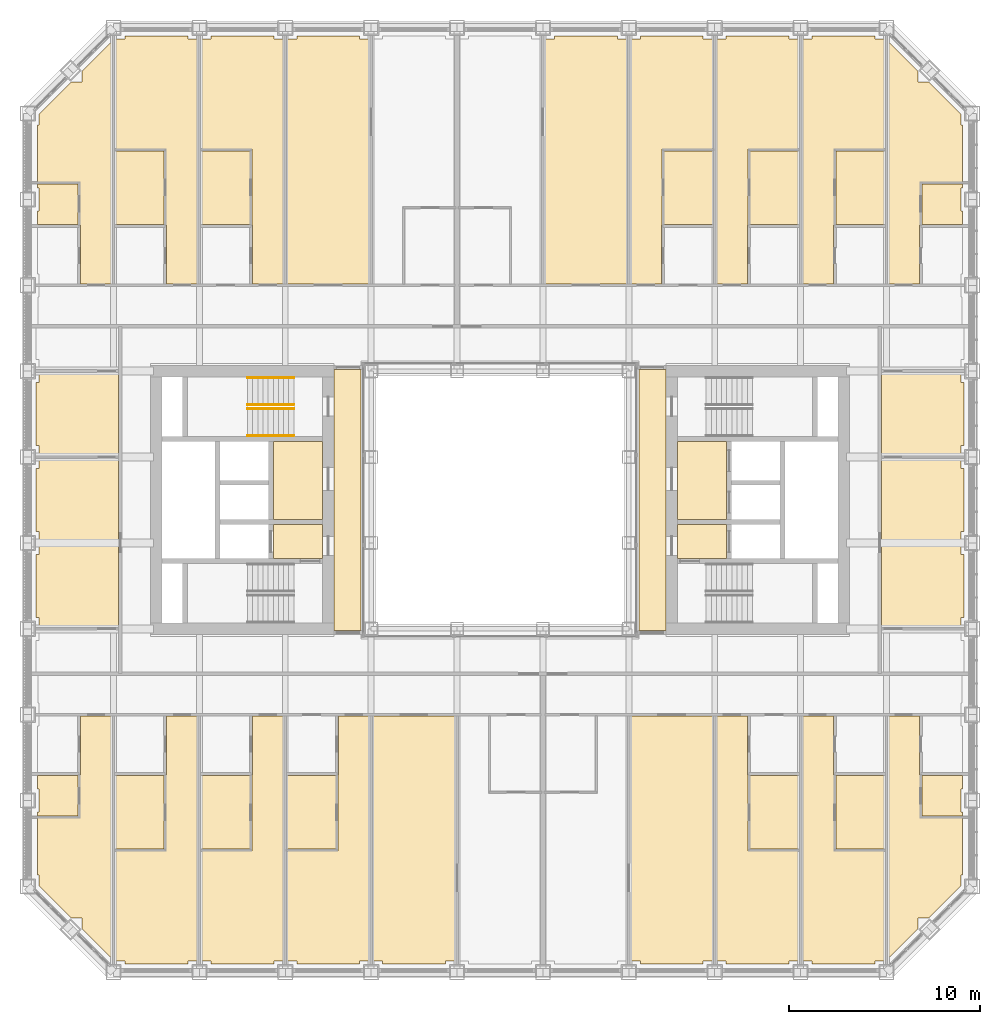
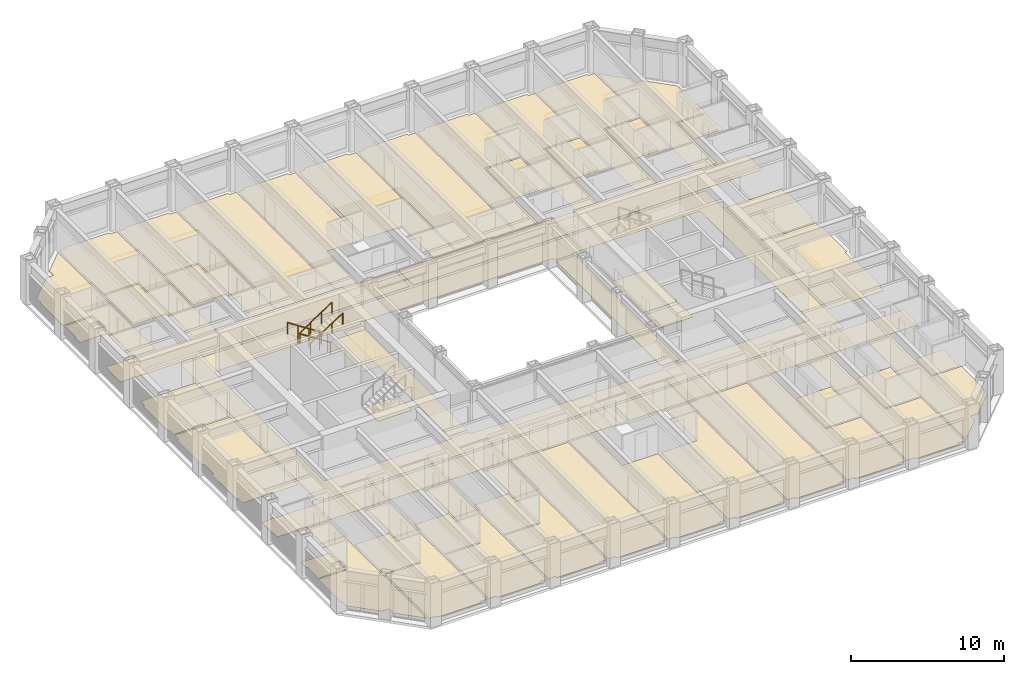
# One storey, part 18 of 21: 4 coverings, 4 railings.
"""IFC4 building model written with IfcOpenShell, lengths in metres."""

from ifc_helpers import new_model, si_unit, direction, frame, origin, origin_2d, place, context, subcontext, project, spatial, line, indexed_curve, circle, outline, extrude, material, layer, layer_set, type_object, element, save


model = new_model("IFC4")

# Units and contexts
model_context = context("Model", 3, precision=1e-05, world=origin(), true_north=direction((0.0, 1.0)))
body_context = subcontext(model_context, "Body", "Model", "MODEL_VIEW")
ifc_project = project(units=[si_unit("LENGTHUNIT", "METRE"), si_unit("AREAUNIT", "SQUARE_METRE"), si_unit("VOLUMEUNIT", "CUBIC_METRE"), si_unit("PLANEANGLEUNIT", "RADIAN"), si_unit("MASSUNIT", "GRAM", prefix="KILO")], contexts=[model_context])

# Site, building, storey
site_placement = place(None, origin())
site = spatial("IfcSite", under=ifc_project, at=site_placement, CompositionType="ELEMENT")
building_placement = place(site_placement, origin())
building = spatial("IfcBuilding", under=site, at=building_placement, Name="Msasa Ring Tower", CompositionType="ELEMENT")
storey_placement = place(building_placement, frame((0.0, 0.0, 79.0)))
storey = spatial("IfcBuildingStorey", under=building, at=storey_placement, Name="L20", CompositionType="ELEMENT", Elevation=79.0)

# Coverings
ifc_material_1 = material(Name="Mineral fibre ceiling tiles on an exposed steel grid", Category="steel")
ifc_layer_1 = layer(ifc_material_1, 0.02001953125)
ifc_layer_set_1 = layer_set([ifc_layer_1], Name="C3 ACOUSTIC MINERAL FIBRE TILE CEILING 20")
covering_type_1 = type_object("IfcCoveringType", Name="C3 ACOUSTIC MINERAL FIBRE TILE CEILING 20", PredefinedType="CEILING", material=ifc_layer_set_1)
covering_1_placement = place(storey_placement, frame((0.0, 0.0, 2.699951171875)))
element("IfcCovering", 1, at=covering_1_placement, inside=storey, type_object=covering_type_1, Name="Acoustic Mineral Fibre Tile Ceiling 20 L20", PredefinedType="CEILING", context=body_context, shape_type="SweptSolid", body=[
    extrude(outline(indexed_curve([(-11.87451171875, 3.074462890625), (-9.300537109375, 3.074462890625), (-9.300537109375, -1.0244140625), (-11.87451171875, -1.0244140625)], segments=[line(1, 2, 3, 4, 1)], self_intersect=False)), origin(), (0.0, 0.0, 1.0), 0.02001953125),
])
ifc_material_2 = material(Name="Honed granite tiles on a mortar bed", Category="masonry")
ifc_layer_2 = layer(ifc_material_2, 0.030029296875)
ifc_layer_set_2 = layer_set([ifc_layer_2], Name="F1 HONED GRANITE ON BEDDING 30")
covering_type_2 = type_object("IfcCoveringType", Name="F1 HONED GRANITE ON BEDDING 30", PredefinedType="FLOORING", material=ifc_layer_set_2)
covering_2_placement = place(storey_placement, origin())
element("IfcCovering", 2, at=covering_2_placement, inside=storey, type_object=covering_type_2, Name="Honed Granite On Bedding 30 L20", PredefinedType="FLOORING", context=body_context, shape_type="SweptSolid", body=[
    extrude(outline(indexed_curve([(-11.87451171875, -3.074462890625), (-11.87451171875, -1.275390625), (-9.300537109375, -1.275390625), (-9.300537109375, -3.074462890625)], segments=[line(1, 2, 3, 4, 1)], self_intersect=False)), origin(), (0.0, 0.0, 1.0), 0.030029296875),
    extrude(outline(indexed_curve([(-8.699462890625, -6.849609375), (-8.699462890625, 6.849609375), (-7.280029296875, 6.849609375), (-7.280029296875, -6.849609375)], segments=[line(1, 2, 3, 4, 1)], self_intersect=False)), origin(), (0.0, 0.0, 1.0), 0.030029296875),
    extrude(outline(indexed_curve([(8.699462890625, 6.849609375), (8.699462890625, -6.849609375), (7.280029296875, -6.849609375), (7.280029296875, 6.849609375)], segments=[line(1, 2, 3, 4, 1)], self_intersect=False)), origin(), (0.0, 0.0, 1.0), 0.030029296875),
    extrude(outline(indexed_curve([(9.300537109375, -3.074462890625), (9.300537109375, -1.275390625), (11.87451171875, -1.275390625), (11.87451171875, -3.074462890625)], segments=[line(1, 2, 3, 4, 1)], self_intersect=False)), origin(), (0.0, 0.0, 1.0), 0.030029296875),
    extrude(outline(indexed_curve([(9.300537109375, 3.074462890625), (11.87451171875, 3.074462890625), (11.87451171875, -1.0244140625), (9.300537109375, -1.0244140625)], segments=[line(1, 2, 3, 4, 1)], self_intersect=False)), origin(), (0.0, 0.0, 1.0), 0.030029296875),
])
ifc_material_3 = material(Name="Wool-blend carpet on felt underlay", Category="textile")
ifc_layer_3 = layer(ifc_material_3, 0.011962890625)
ifc_layer_set_3 = layer_set([ifc_layer_3], Name="F2 CARPET ON UNDERLAY 12")
covering_type_3 = type_object("IfcCoveringType", Name="F2 CARPET ON UNDERLAY 12", PredefinedType="FLOORING", material=ifc_layer_set_3)
covering_3_placement = place(storey_placement, origin())
element("IfcCovering", 3, at=covering_3_placement, inside=storey, type_object=covering_type_3, Name="Carpet On Underlay 12 L20", PredefinedType="FLOORING", context=body_context, shape_type="SweptSolid", body=[
    extrude(outline(indexed_curve([(-22.1005859375, -14.430419921875), (-22.1005859375, -16.568115234375), (-24.239501953125, -16.568115234375), (-24.239501953125, -16.3505859375), (-24.1494140625, -16.3505859375), (-24.1494140625, -15.1494140625), (-24.239501953125, -15.1494140625), (-24.239501953125, -14.430419921875)], segments=[line(1, 2, 3, 4, 5, 6, 7, 8, 1)], self_intersect=False)), origin(), (0.0, 0.0, 1.0), 0.011962890625),
    extrude(outline(indexed_curve([(-22.1005859375, 14.430419921875), (-24.239501953125, 14.430419921875), (-24.239501953125, 15.1494140625), (-24.1494140625, 15.1494140625), (-24.1494140625, 16.3505859375), (-24.239501953125, 16.3505859375), (-24.239501953125, 16.568115234375), (-22.1005859375, 16.568115234375)], segments=[line(1, 2, 3, 4, 5, 6, 7, 8, 1)], self_intersect=False)), origin(), (0.0, 0.0, 1.0), 0.011962890625),
    extrude(outline(indexed_curve([(-17.6005859375, -18.294921875), (-20.18701171875, -18.294921875), (-20.18701171875, -14.430419921875), (-17.6005859375, -14.430419921875)], segments=[line(1, 2, 3, 4, 1)], self_intersect=False)), origin(), (0.0, 0.0, 1.0), 0.011962890625),
    extrude(outline(indexed_curve([(-17.6005859375, 18.294921875), (-17.6005859375, 14.430419921875), (-20.18701171875, 14.430419921875), (-20.18701171875, 18.294921875)], segments=[line(1, 2, 3, 4, 1)], self_intersect=False)), origin(), (0.0, 0.0, 1.0), 0.011962890625),
    extrude(outline(indexed_curve([(19.799560546875, 8.99951171875), (19.799560546875, -8.99951171875), (-19.799560546875, -8.99951171875), (-19.799560546875, 8.99951171875)], segments=[line(1, 2, 3, 4, 1)], self_intersect=False), holes=[indexed_curve([(18.300537109375, -7.150390625), (18.300537109375, 7.150390625), (8.699462890625, 7.150390625), (8.699462890625, 7.050537109375), (7.280029296875, 7.050537109375), (7.275390625, 7.275390625), (7.22998046875, 7.280029296875), (-7.22998046875, 7.280029296875), (-7.275390625, 7.275390625), (-7.280029296875, 7.050537109375), (-8.699462890625, 7.050537109375), (-8.699462890625, 7.150390625), (-18.300537109375, 7.150390625), (-18.300537109375, -7.150390625), (-8.699462890625, -7.150390625), (-8.699462890625, -7.050537109375), (-7.280029296875, -7.050537109375), (-7.275390625, -7.275390625), (-7.22998046875, -7.280029296875), (7.22998046875, -7.280029296875), (7.275390625, -7.275390625), (7.280029296875, -7.050537109375), (8.699462890625, -7.050537109375), (8.699462890625, -7.150390625)], segments=[line(1, 2, 3, 4, 5, 6, 7, 8, 9, 10, 11, 12, 13, 14, 15, 16, 17, 18, 19, 20, 21, 22, 23, 24, 1)], self_intersect=False)]), origin(), (0.0, 0.0, 1.0), 0.011962890625),
    extrude(outline(indexed_curve([(-13.1005859375, -14.430419921875), (-13.1005859375, -18.297607421875), (-15.68701171875, -18.297607421875), (-15.68701171875, -14.430419921875)], segments=[line(1, 2, 3, 4, 1)], self_intersect=False)), origin(), (0.0, 0.0, 1.0), 0.011962890625),
    extrude(outline(indexed_curve([(-13.1005859375, 14.430419921875), (-15.68701171875, 14.430419921875), (-15.68701171875, 18.297607421875), (-13.1005859375, 18.297607421875)], segments=[line(1, 2, 3, 4, 1)], self_intersect=False)), origin(), (0.0, 0.0, 1.0), 0.011962890625),
    extrude(outline(indexed_curve([(-8.6005859375, -18.297607421875), (-11.18701171875, -18.297607421875), (-11.18701171875, -14.430419921875), (-8.6005859375, -14.430419921875)], segments=[line(1, 2, 3, 4, 1)], self_intersect=False)), origin(), (0.0, 0.0, 1.0), 0.011962890625),
    extrude(outline(indexed_curve([(-7.3505859375, 24.299560546875), (-7.3505859375, 24.1494140625), (-6.81298828125, 24.1494140625), (-6.81298828125, 11.31298828125), (-11.181884765625, 11.31298828125), (-11.181884765625, 24.1494140625), (-10.6494140625, 24.1494140625), (-10.6494140625, 24.299560546875)], segments=[line(1, 2, 3, 4, 5, 6, 7, 8, 1)], self_intersect=False)), origin(), (0.0, 0.0, 1.0), 0.011962890625),
    extrude(outline(indexed_curve([(-2.8505859375, 24.299560546875), (-2.8505859375, 24.1494140625), (-2.37548828125, 24.1494140625), (-2.37548828125, 15.363037109375), (-5.1005859375, 15.363037109375), (-5.1005859375, 11.31298828125), (-6.68701171875, 11.31298828125), (-6.68701171875, 24.1494140625), (-6.1494140625, 24.1494140625), (-6.1494140625, 24.299560546875)], segments=[line(1, 2, 3, 4, 5, 6, 7, 8, 9, 10, 1)], self_intersect=False)), origin(), (0.0, 0.0, 1.0), 0.011962890625),
    extrude(outline(indexed_curve([(-6.1494140625, -24.299560546875), (-6.1494140625, -24.1494140625), (-6.681884765625, -24.1494140625), (-6.681884765625, -11.31298828125), (-2.31298828125, -11.31298828125), (-2.31298828125, -24.1494140625), (-2.8505859375, -24.1494140625), (-2.8505859375, -24.299560546875)], segments=[line(1, 2, 3, 4, 5, 6, 7, 8, 1)], self_intersect=False)), origin(), (0.0, 0.0, 1.0), 0.011962890625),
    extrude(outline(indexed_curve([(-0.6005859375, -11.31298828125), (-0.6005859375, -15.363037109375), (2.12451171875, -15.363037109375), (2.12451171875, -24.1494140625), (1.6494140625, -24.1494140625), (1.6494140625, -24.299560546875), (-1.6494140625, -24.299560546875), (-1.6494140625, -24.1494140625), (-2.18701171875, -24.1494140625), (-2.18701171875, -11.31298828125)], segments=[line(1, 2, 3, 4, 5, 6, 7, 8, 9, 10, 1)], self_intersect=False)), origin(), (0.0, 0.0, 1.0), 0.011962890625),
    extrude(outline(indexed_curve([(0.6005859375, 11.31298828125), (0.6005859375, 15.363037109375), (-2.12451171875, 15.363037109375), (-2.12451171875, 24.1494140625), (-1.6494140625, 24.1494140625), (-1.6494140625, 24.299560546875), (1.6494140625, 24.299560546875), (1.6494140625, 24.1494140625), (2.18701171875, 24.1494140625), (2.18701171875, 11.31298828125)], segments=[line(1, 2, 3, 4, 5, 6, 7, 8, 9, 10, 1)], self_intersect=False)), origin(), (0.0, 0.0, 1.0), 0.011962890625),
    extrude(outline(indexed_curve([(6.1494140625, 24.299560546875), (6.1494140625, 24.1494140625), (6.681884765625, 24.1494140625), (6.681884765625, 11.31298828125), (2.31298828125, 11.31298828125), (2.31298828125, 24.1494140625), (2.8505859375, 24.1494140625), (2.8505859375, 24.299560546875)], segments=[line(1, 2, 3, 4, 5, 6, 7, 8, 1)], self_intersect=False)), origin(), (0.0, 0.0, 1.0), 0.011962890625),
    extrude(outline(indexed_curve([(2.8505859375, -24.299560546875), (2.8505859375, -24.1494140625), (2.37548828125, -24.1494140625), (2.37548828125, -15.363037109375), (5.1005859375, -15.363037109375), (5.1005859375, -11.31298828125), (6.68701171875, -11.31298828125), (6.68701171875, -24.1494140625), (6.1494140625, -24.1494140625), (6.1494140625, -24.299560546875)], segments=[line(1, 2, 3, 4, 5, 6, 7, 8, 9, 10, 1)], self_intersect=False)), origin(), (0.0, 0.0, 1.0), 0.011962890625),
    extrude(outline(indexed_curve([(7.3505859375, -24.299560546875), (7.3505859375, -24.1494140625), (6.81298828125, -24.1494140625), (6.81298828125, -11.31298828125), (11.181884765625, -11.31298828125), (11.181884765625, -24.1494140625), (10.6494140625, -24.1494140625), (10.6494140625, -24.299560546875)], segments=[line(1, 2, 3, 4, 5, 6, 7, 8, 1)], self_intersect=False)), origin(), (0.0, 0.0, 1.0), 0.011962890625),
    extrude(outline(indexed_curve([(8.6005859375, 14.430419921875), (8.6005859375, 18.297607421875), (11.18701171875, 18.297607421875), (11.18701171875, 14.430419921875)], segments=[line(1, 2, 3, 4, 1)], self_intersect=False)), origin(), (0.0, 0.0, 1.0), 0.011962890625),
    extrude(outline(indexed_curve([(15.68701171875, -14.430419921875), (15.68701171875, -18.297607421875), (13.1005859375, -18.297607421875), (13.1005859375, -14.430419921875)], segments=[line(1, 2, 3, 4, 1)], self_intersect=False)), origin(), (0.0, 0.0, 1.0), 0.011962890625),
    extrude(outline(indexed_curve([(15.68701171875, 18.297607421875), (15.68701171875, 14.430419921875), (13.1005859375, 14.430419921875), (13.1005859375, 18.297607421875)], segments=[line(1, 2, 3, 4, 1)], self_intersect=False)), origin(), (0.0, 0.0, 1.0), 0.011962890625),
    extrude(outline(indexed_curve([(17.6005859375, -18.294921875), (17.6005859375, -14.430419921875), (20.18701171875, -14.430419921875), (20.18701171875, -18.294921875)], segments=[line(1, 2, 3, 4, 1)], self_intersect=False)), origin(), (0.0, 0.0, 1.0), 0.011962890625),
    extrude(outline(indexed_curve([(17.6005859375, 14.430419921875), (17.6005859375, 18.294921875), (20.18701171875, 18.294921875), (20.18701171875, 14.430419921875)], segments=[line(1, 2, 3, 4, 1)], self_intersect=False)), origin(), (0.0, 0.0, 1.0), 0.011962890625),
    extrude(outline(indexed_curve([(24.239501953125, -15.1494140625), (24.1494140625, -15.1494140625), (24.1494140625, -16.3505859375), (24.239501953125, -16.3505859375), (24.239501953125, -16.568115234375), (22.1005859375, -16.568115234375), (22.1005859375, -14.430419921875), (24.239501953125, -14.430419921875)], segments=[line(1, 2, 3, 4, 5, 6, 7, 8, 1)], self_intersect=False)), origin(), (0.0, 0.0, 1.0), 0.011962890625),
    extrude(outline(indexed_curve([(24.239501953125, 16.568115234375), (24.239501953125, 16.3505859375), (24.1494140625, 16.3505859375), (24.1494140625, 15.1494140625), (24.239501953125, 15.1494140625), (24.239501953125, 14.430419921875), (22.1005859375, 14.430419921875), (22.1005859375, 16.568115234375)], segments=[line(1, 2, 3, 4, 5, 6, 7, 8, 1)], self_intersect=False)), origin(), (0.0, 0.0, 1.0), 0.011962890625),
])
ifc_material_4 = material(Name="Engineered oak boards on an acoustic underlay", Category="wood")
ifc_layer_4 = layer(ifc_material_4, 0.01806640625)
ifc_layer_set_4 = layer_set([ifc_layer_4], Name="F3 ENGINEERED TIMBER ON ACOUSTIC UNDERLAY 18")
covering_type_4 = type_object("IfcCoveringType", Name="F3 ENGINEERED TIMBER ON ACOUSTIC UNDERLAY 18", PredefinedType="FLOORING", material=ifc_layer_set_4)
covering_4_placement = place(storey_placement, origin())
element("IfcCovering", 4, at=covering_4_placement, inside=storey, type_object=covering_type_4, Name="Engineered Timber On Acoustic Underlay 18 L20", PredefinedType="FLOORING", context=body_context, shape_type="SweptSolid", body=[
    extrude(outline(indexed_curve([(-24.1494140625, -6.694580078125), (-24.1494140625, -6.1494140625), (-24.299560546875, -6.1494140625), (-24.299560546875, -2.8505859375), (-24.1494140625, -2.8505859375), (-24.1494140625, -1.6494140625), (-24.299560546875, -1.6494140625), (-24.299560546875, 1.6494140625), (-24.1494140625, 1.6494140625), (-24.1494140625, 2.194580078125), (-20.00048828125, 2.194580078125), (-20.00048828125, -6.694580078125)], segments=[line(1, 2, 3, 4, 5, 6, 7, 8, 9, 10, 11, 12, 1)], self_intersect=False)), origin(), (0.0, 0.0, 1.0), 0.01806640625),
    extrude(outline(indexed_curve([(-24.299560546875, 6.1494140625), (-24.1494140625, 6.1494140625), (-24.1494140625, 6.66943359375), (-20.00048828125, 6.66943359375), (-20.00048828125, 2.305419921875), (-24.1494140625, 2.305419921875), (-24.1494140625, 2.8505859375), (-24.299560546875, 2.8505859375)], segments=[line(1, 2, 3, 4, 5, 6, 7, 8, 1)], self_intersect=False)), origin(), (0.0, 0.0, 1.0), 0.01806640625),
    extrude(outline(indexed_curve([(-24.23193359375, -16.674072265625), (-21.99951171875, -16.674072265625), (-21.99951171875, -14.39990234375), (-21.974609375, -14.39990234375), (-21.974609375, -11.31298828125), (-20.318115234375, -11.31298828125), (-20.318115234375, -24.044921875), (-21.8994140625, -22.46337890625), (-21.8994140625, -21.8994140625), (-22.46337890625, -21.8994140625), (-24.1494140625, -20.21337890625), (-24.1494140625, -19.6494140625), (-24.23193359375, -19.6494140625)], segments=[line(1, 2, 3, 4, 5, 6, 7, 8, 9, 10, 11, 12, 13, 1)], self_intersect=False)), origin(), (0.0, 0.0, 1.0), 0.01806640625),
    extrude(outline(indexed_curve([(-22.46337890625, 21.8994140625), (-21.8994140625, 21.8994140625), (-21.8994140625, 22.46337890625), (-20.318115234375, 24.044921875), (-20.318115234375, 11.31298828125), (-21.974609375, 11.31298828125), (-21.974609375, 14.39990234375), (-21.99951171875, 14.39990234375), (-21.99951171875, 16.674072265625), (-24.23193359375, 16.674072265625), (-24.23193359375, 19.6494140625), (-24.1494140625, 19.6494140625), (-24.1494140625, 20.21337890625)], segments=[line(1, 2, 3, 4, 5, 6, 7, 8, 9, 10, 11, 12, 13, 1)], self_intersect=False)), origin(), (0.0, 0.0, 1.0), 0.01806640625),
    extrude(outline(indexed_curve([(-24.1494140625, -11.18701171875), (-24.1494140625, -10.6494140625), (-24.199462890625, -10.6494140625), (-24.199462890625, -9.200439453125), (2.12451171875, -9.200439453125), (2.12451171875, -11.18701171875)], segments=[line(1, 2, 3, 4, 5, 6, 1)], self_intersect=False)), origin(), (0.0, 0.0, 1.0), 0.01806640625),
    extrude(outline(indexed_curve([(-24.199462890625, 9.200439453125), (-24.199462890625, 10.6494140625), (-24.1494140625, 10.6494140625), (-24.1494140625, 11.18701171875), (-2.37548828125, 11.18701171875), (-2.37548828125, 9.200439453125)], segments=[line(1, 2, 3, 4, 5, 6, 1)], self_intersect=False)), origin(), (0.0, 0.0, 1.0), 0.01806640625),
    extrude(outline(indexed_curve([(-15.818115234375, -11.31298828125), (-15.818115234375, -24.1494140625), (-16.3505859375, -24.1494140625), (-16.3505859375, -24.299560546875), (-19.6494140625, -24.299560546875), (-19.6494140625, -24.1494140625), (-20.181884765625, -24.1494140625), (-20.181884765625, -18.40087890625), (-17.49951171875, -18.40087890625), (-17.49951171875, -14.39990234375), (-17.474609375, -14.39990234375), (-17.474609375, -11.31298828125)], segments=[line(1, 2, 3, 4, 5, 6, 7, 8, 9, 10, 11, 12, 1)], self_intersect=False)), origin(), (0.0, 0.0, 1.0), 0.01806640625),
    extrude(outline(indexed_curve([(-15.818115234375, 11.31298828125), (-17.474609375, 11.31298828125), (-17.474609375, 14.39990234375), (-17.49951171875, 14.39990234375), (-17.49951171875, 18.40087890625), (-20.181884765625, 18.40087890625), (-20.181884765625, 24.1494140625), (-19.6494140625, 24.1494140625), (-19.6494140625, 24.299560546875), (-16.3505859375, 24.299560546875), (-16.3505859375, 24.1494140625), (-15.818115234375, 24.1494140625)], segments=[line(1, 2, 3, 4, 5, 6, 7, 8, 9, 10, 11, 12, 1)], self_intersect=False)), origin(), (0.0, 0.0, 1.0), 0.01806640625),
    extrude(outline(indexed_curve([(-11.318115234375, -24.1494140625), (-11.8505859375, -24.1494140625), (-11.8505859375, -24.299560546875), (-15.1494140625, -24.299560546875), (-15.1494140625, -24.1494140625), (-15.681884765625, -24.1494140625), (-15.681884765625, -18.403564453125), (-12.99951171875, -18.403564453125), (-12.99951171875, -14.39990234375), (-12.974609375, -14.39990234375), (-12.974609375, -11.31298828125), (-11.318115234375, -11.31298828125)], segments=[line(1, 2, 3, 4, 5, 6, 7, 8, 9, 10, 11, 12, 1)], self_intersect=False)), origin(), (0.0, 0.0, 1.0), 0.01806640625),
    extrude(outline(indexed_curve([(-12.974609375, 11.31298828125), (-12.974609375, 14.39990234375), (-12.99951171875, 14.39990234375), (-12.99951171875, 18.403564453125), (-15.681884765625, 18.403564453125), (-15.681884765625, 24.1494140625), (-15.1494140625, 24.1494140625), (-15.1494140625, 24.299560546875), (-11.8505859375, 24.299560546875), (-11.8505859375, 24.1494140625), (-11.318115234375, 24.1494140625), (-11.318115234375, 11.31298828125)], segments=[line(1, 2, 3, 4, 5, 6, 7, 8, 9, 10, 11, 12, 1)], self_intersect=False)), origin(), (0.0, 0.0, 1.0), 0.01806640625),
    extrude(outline(indexed_curve([(-6.818115234375, -24.1494140625), (-7.3505859375, -24.1494140625), (-7.3505859375, -24.299560546875), (-10.6494140625, -24.299560546875), (-10.6494140625, -24.1494140625), (-11.181884765625, -24.1494140625), (-11.181884765625, -18.403564453125), (-8.49951171875, -18.403564453125), (-8.49951171875, -14.39990234375), (-8.474609375, -14.39990234375), (-8.474609375, -11.31298828125), (-6.818115234375, -11.31298828125)], segments=[line(1, 2, 3, 4, 5, 6, 7, 8, 9, 10, 11, 12, 1)], self_intersect=False)), origin(), (0.0, 0.0, 1.0), 0.01806640625),
    extrude(outline(indexed_curve([(24.199462890625, 9.200439453125), (-2.12451171875, 9.200439453125), (-2.12451171875, 11.18701171875), (24.1494140625, 11.18701171875), (24.1494140625, 10.6494140625), (24.199462890625, 10.6494140625)], segments=[line(1, 2, 3, 4, 5, 6, 1)], self_intersect=False)), origin(), (0.0, 0.0, 1.0), 0.01806640625),
    extrude(outline(indexed_curve([(24.199462890625, -10.6494140625), (24.1494140625, -10.6494140625), (24.1494140625, -11.18701171875), (2.37548828125, -11.18701171875), (2.37548828125, -9.200439453125), (24.199462890625, -9.200439453125)], segments=[line(1, 2, 3, 4, 5, 6, 1)], self_intersect=False)), origin(), (0.0, 0.0, 1.0), 0.01806640625),
    extrude(outline(indexed_curve([(6.818115234375, 24.1494140625), (7.3505859375, 24.1494140625), (7.3505859375, 24.299560546875), (10.6494140625, 24.299560546875), (10.6494140625, 24.1494140625), (11.181884765625, 24.1494140625), (11.181884765625, 18.403564453125), (8.49951171875, 18.403564453125), (8.49951171875, 14.39990234375), (8.474609375, 14.39990234375), (8.474609375, 11.31298828125), (6.818115234375, 11.31298828125)], segments=[line(1, 2, 3, 4, 5, 6, 7, 8, 9, 10, 11, 12, 1)], self_intersect=False)), origin(), (0.0, 0.0, 1.0), 0.01806640625),
    extrude(outline(indexed_curve([(11.318115234375, -11.31298828125), (12.974609375, -11.31298828125), (12.974609375, -14.39990234375), (12.99951171875, -14.39990234375), (12.99951171875, -18.403564453125), (15.681884765625, -18.403564453125), (15.681884765625, -24.1494140625), (15.1494140625, -24.1494140625), (15.1494140625, -24.299560546875), (11.8505859375, -24.299560546875), (11.8505859375, -24.1494140625), (11.318115234375, -24.1494140625)], segments=[line(1, 2, 3, 4, 5, 6, 7, 8, 9, 10, 11, 12, 1)], self_intersect=False)), origin(), (0.0, 0.0, 1.0), 0.01806640625),
    extrude(outline(indexed_curve([(15.1494140625, 24.299560546875), (15.1494140625, 24.1494140625), (15.681884765625, 24.1494140625), (15.681884765625, 18.403564453125), (12.99951171875, 18.403564453125), (12.99951171875, 14.39990234375), (12.974609375, 14.39990234375), (12.974609375, 11.31298828125), (11.318115234375, 11.31298828125), (11.318115234375, 24.1494140625), (11.8505859375, 24.1494140625), (11.8505859375, 24.299560546875)], segments=[line(1, 2, 3, 4, 5, 6, 7, 8, 9, 10, 11, 12, 1)], self_intersect=False)), origin(), (0.0, 0.0, 1.0), 0.01806640625),
    extrude(outline(indexed_curve([(16.3505859375, -24.299560546875), (16.3505859375, -24.1494140625), (15.818115234375, -24.1494140625), (15.818115234375, -11.31298828125), (17.474609375, -11.31298828125), (17.474609375, -14.39990234375), (17.49951171875, -14.39990234375), (17.49951171875, -18.40087890625), (20.181884765625, -18.40087890625), (20.181884765625, -24.1494140625), (19.6494140625, -24.1494140625), (19.6494140625, -24.299560546875)], segments=[line(1, 2, 3, 4, 5, 6, 7, 8, 9, 10, 11, 12, 1)], self_intersect=False)), origin(), (0.0, 0.0, 1.0), 0.01806640625),
    extrude(outline(indexed_curve([(15.818115234375, 24.1494140625), (16.3505859375, 24.1494140625), (16.3505859375, 24.299560546875), (19.6494140625, 24.299560546875), (19.6494140625, 24.1494140625), (20.181884765625, 24.1494140625), (20.181884765625, 18.40087890625), (17.49951171875, 18.40087890625), (17.49951171875, 14.39990234375), (17.474609375, 14.39990234375), (17.474609375, 11.31298828125), (15.818115234375, 11.31298828125)], segments=[line(1, 2, 3, 4, 5, 6, 7, 8, 9, 10, 11, 12, 1)], self_intersect=False)), origin(), (0.0, 0.0, 1.0), 0.01806640625),
    extrude(outline(indexed_curve([(24.1494140625, 2.194580078125), (24.1494140625, 1.6494140625), (24.299560546875, 1.6494140625), (24.299560546875, -1.6494140625), (24.1494140625, -1.6494140625), (24.1494140625, -2.8505859375), (24.299560546875, -2.8505859375), (24.299560546875, -6.1494140625), (24.1494140625, -6.1494140625), (24.1494140625, -6.694580078125), (20.00048828125, -6.694580078125), (20.00048828125, 2.194580078125)], segments=[line(1, 2, 3, 4, 5, 6, 7, 8, 9, 10, 11, 12, 1)], self_intersect=False)), origin(), (0.0, 0.0, 1.0), 0.01806640625),
    extrude(outline(indexed_curve([(20.00048828125, 6.66943359375), (24.1494140625, 6.66943359375), (24.1494140625, 6.1494140625), (24.299560546875, 6.1494140625), (24.299560546875, 2.8505859375), (24.1494140625, 2.8505859375), (24.1494140625, 2.305419921875), (20.00048828125, 2.305419921875)], segments=[line(1, 2, 3, 4, 5, 6, 7, 8, 1)], self_intersect=False)), origin(), (0.0, 0.0, 1.0), 0.01806640625),
    extrude(outline(indexed_curve([(22.46337890625, -21.8994140625), (21.8994140625, -21.8994140625), (21.8994140625, -22.46337890625), (20.318115234375, -24.044921875), (20.318115234375, -11.31298828125), (21.974609375, -11.31298828125), (21.974609375, -14.39990234375), (21.99951171875, -14.39990234375), (21.99951171875, -16.674072265625), (24.23193359375, -16.674072265625), (24.23193359375, -19.6494140625), (24.1494140625, -19.6494140625), (24.1494140625, -20.21337890625)], segments=[line(1, 2, 3, 4, 5, 6, 7, 8, 9, 10, 11, 12, 13, 1)], self_intersect=False)), origin(), (0.0, 0.0, 1.0), 0.01806640625),
    extrude(outline(indexed_curve([(24.23193359375, 16.674072265625), (21.99951171875, 16.674072265625), (21.99951171875, 14.39990234375), (21.974609375, 14.39990234375), (21.974609375, 11.31298828125), (20.318115234375, 11.31298828125), (20.318115234375, 24.044921875), (21.8994140625, 22.46337890625), (21.8994140625, 21.8994140625), (22.46337890625, 21.8994140625), (24.1494140625, 20.21337890625), (24.1494140625, 19.6494140625), (24.23193359375, 19.6494140625)], segments=[line(1, 2, 3, 4, 5, 6, 7, 8, 9, 10, 11, 12, 13, 1)], self_intersect=False)), origin(), (0.0, 0.0, 1.0), 0.01806640625),
])

# Railings
ifc_material_5 = material(Name="Stainless steel", Category="steel")
railing_type = type_object("IfcRailingType", Name="HR1 HANDRAIL 900", PredefinedType="HANDRAIL", material=ifc_material_5)
for number, where, name in (
    (5, (-10.800048828125, 5.0, 0.175048828125), "Handrail stair SWB L20 1"),
    (6, (-10.800048828125, 6.39990234375, 0.175048828125), "Handrail stair SWB L20 2"),
):
    element("IfcRailing", number, at=place(storey_placement, frame(where)), inside=storey, type_object=railing_type, Name=name, PredefinedType="HANDRAIL", context=body_context, shape_type="SweptSolid", body=[
        extrude(circle(Radius=0.02392578125, at=origin_2d()), frame((0.0, 0.0, 0.8759765625), z_axis=(-0.839153699163, 0.0, 0.543894354798), x_axis=(0.0, -1.0, 0.0)), (0.0, 0.0, 1.0), 2.895751953125),
        extrude(circle(Radius=0.02099609375, at=origin_2d()), origin(), (0.0, 0.0, 1.0), 0.851806640625),
        extrude(circle(Radius=0.02099609375, at=origin_2d()), frame((-0.81005859375, 0.0, 0.52490234375)), (0.0, 0.0, 1.0), 0.851806640625),
        extrude(circle(Radius=0.02099609375, at=origin_2d()), frame((-1.619873046875, 0.0, 1.050048828125)), (0.0, 0.0, 1.0), 0.851806640625),
        extrude(circle(Radius=0.02099609375, at=origin_2d()), frame((-2.429931640625, 0.0, 1.574951171875)), (0.0, 0.0, 1.0), 0.851806640625),
    ])
for number, where, name in (
    (7, (-13.22998046875, 3.375, 1.925048828125), "Handrail stair SWB L20 3"),
    (8, (-13.22998046875, 4.77490234375, 1.925048828125), "Handrail stair SWB L20 4"),
):
    element("IfcRailing", number, at=place(storey_placement, frame(where)), inside=storey, type_object=railing_type, Name=name, PredefinedType="HANDRAIL", context=body_context, shape_type="SweptSolid", body=[
        extrude(circle(Radius=0.02392578125, at=origin_2d()), frame((0.0, 0.0, 0.8759765625), z_axis=(0.839153699163, 0.0, 0.543894354798), x_axis=(0.0, 1.0, 0.0)), (0.0, 0.0, 1.0), 2.895751953125),
        extrude(circle(Radius=0.02099609375, at=origin_2d()), origin(), (0.0, 0.0, 1.0), 0.851806640625),
        extrude(circle(Radius=0.02099609375, at=origin_2d()), frame((0.81005859375, 0.0, 0.52490234375)), (0.0, 0.0, 1.0), 0.851806640625),
        extrude(circle(Radius=0.02099609375, at=origin_2d()), frame((1.619873046875, 0.0, 1.050048828125)), (0.0, 0.0, 1.0), 0.851806640625),
        extrude(circle(Radius=0.02099609375, at=origin_2d()), frame((2.429931640625, 0.0, 1.574951171875)), (0.0, 0.0, 1.0), 0.851806640625),
    ])

save(model, "model.ifc")
